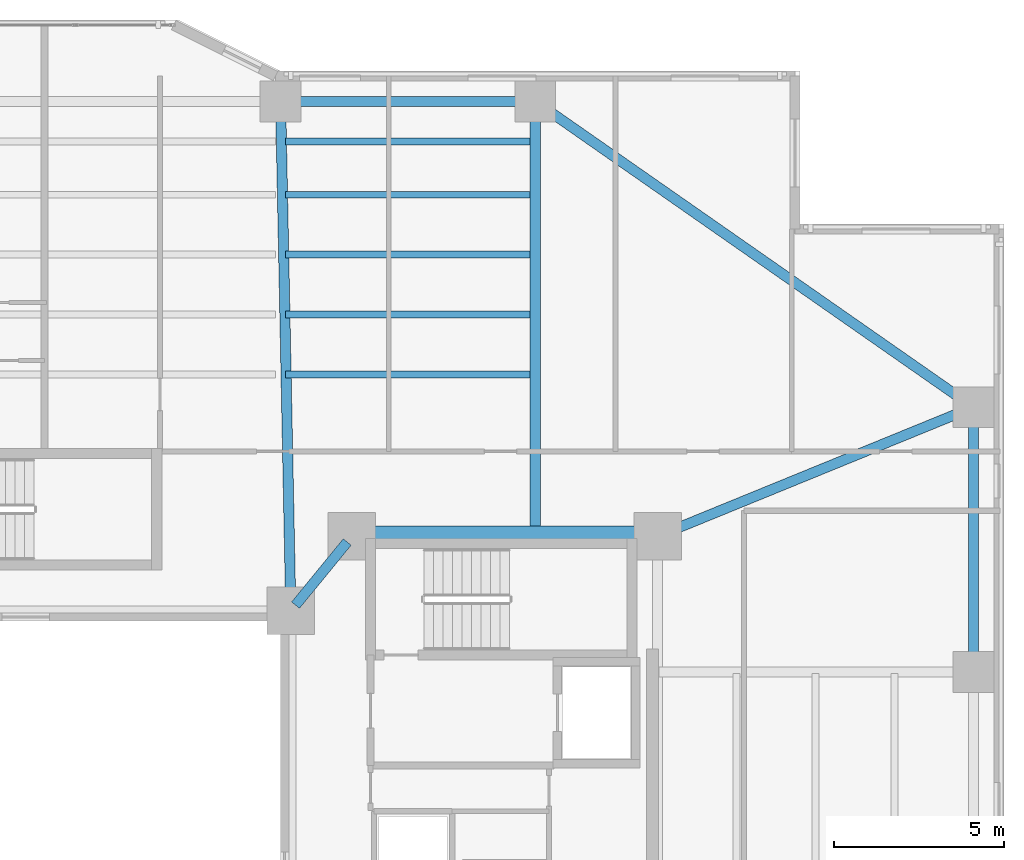
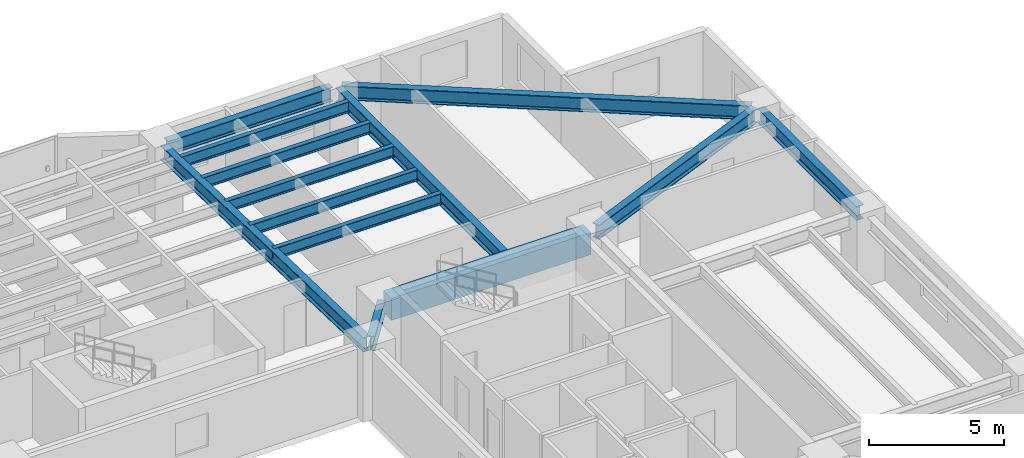
# One storey, part 7 of 21: 13 beams.
"""IFC4 building model written with IfcOpenShell, lengths in metres."""

from ifc_helpers import new_model, si_unit, direction, frame, origin, origin_2d, place, context, subcontext, project, spatial, rectangle, i_section, extrude, material, material_profile, profile_set, type_object, element, save


model = new_model("IFC4")

# Units and contexts
model_context = context("Model", 3, precision=1e-05, world=origin(), true_north=direction((0.0, 1.0)))
body_context = subcontext(model_context, "Body", "Model", "MODEL_VIEW")
ifc_project = project(units=[si_unit("LENGTHUNIT", "METRE"), si_unit("AREAUNIT", "SQUARE_METRE"), si_unit("VOLUMEUNIT", "CUBIC_METRE"), si_unit("PLANEANGLEUNIT", "RADIAN"), si_unit("MASSUNIT", "GRAM", prefix="KILO")], contexts=[model_context])

# Site, building, storey
site_placement = place(None, origin())
site = spatial("IfcSite", under=ifc_project, at=site_placement, CompositionType="ELEMENT")
building_placement = place(site_placement, origin())
building = spatial("IfcBuilding", under=site, at=building_placement, Name="Tarnavaz Court Tower", CompositionType="ELEMENT")
storey_placement = place(building_placement, frame((0.0, 0.0, 37.39990234375)))
storey = spatial("IfcBuildingStorey", under=building, at=storey_placement, Name="L09", CompositionType="ELEMENT", Elevation=37.39990234375)

# Beams
ifc_material_1 = material(Name="Concrete C60/75", Category="concrete")
ifc_material_profile_1 = material_profile(ifc_material_1, rectangle(XDim=0.60009765625, YDim=1.0, at=origin_2d()), Name="RC 600X1000")
ifc_profile_set_1 = profile_set([ifc_material_profile_1], Name="Concrete C60/75")
beam_type_1 = type_object("IfcBeamType", Name="BM-CB1000", PredefinedType="LINTEL", material=ifc_profile_set_1)
beam_1_placement = place(storey_placement, frame((18.3798828125, 10.0, 2.60009765625), z_axis=(-1.0, 0.0, 0.0), x_axis=(0.0, -1.0, 0.0)))
element("IfcBeam", 1, at=beam_1_placement, inside=storey, type_object=beam_type_1, Name="L09 Beam IN-CE-NO-CE-NI", PredefinedType="LINTEL", context=body_context, shape_type="SweptSolid", body=[
    extrude(rectangle(XDim=0.60009765625, YDim=1.0, at=origin_2d()), origin(), (0.0, 0.0, 1.0), 8.559814453125),
])
ifc_material_2 = material(Name="Steel S355", Category="steel")
ifc_material_profile_2 = material_profile(ifc_material_2, i_section(OverallWidth=0.300048828125, OverallDepth=0.64990234375, WebThickness=0.01611328125, FlangeThickness=0.031005859375, FilletRadius=0.027099609375, at=origin_2d()), Name="HEB 650")
ifc_profile_set_2 = profile_set([ifc_material_profile_2], Name="Steel S355")
beam_type_2 = type_object("IfcBeamType", Name="BM-G-HEB650", PredefinedType="USERDEFINED", material=ifc_profile_set_2)
beam_2_placement = place(storey_placement, frame((9.460693359375, 9.82958984375, 2.775146484375), z_axis=(-0.633282058357, -0.773921077735, 0.0), x_axis=(0.773921077735, -0.633282058357, 0.0)))
element("IfcBeam", 2, at=beam_2_placement, inside=storey, type_object=beam_type_2, Name="L09 Beam IN-CE-NI-IW-NE", ObjectType="GIRDER", PredefinedType="USERDEFINED", context=body_context, shape_type="SweptSolid", body=[
    extrude(i_section(OverallWidth=0.300048828125, OverallDepth=0.64990234375, WebThickness=0.01611328125, FlangeThickness=0.031005859375, FilletRadius=0.027099609375, at=origin_2d()), origin(), (0.0, 0.0, 1.0), 2.402587890625),
])
beam_3_placement = place(storey_placement, frame((7.795654296875, 8.02001953125, 2.775146484375), z_axis=(-0.020000023066, 0.999799979535, 0.0), x_axis=(-0.999799979535, -0.020000023066, 0.0)))
element("IfcBeam", 3, at=beam_3_placement, inside=storey, type_object=beam_type_2, Name="L09 Beam RG-03", ObjectType="GIRDER", PredefinedType="USERDEFINED", context=body_context, shape_type="SweptSolid", body=[
    extrude(i_section(OverallWidth=0.300048828125, OverallDepth=0.64990234375, WebThickness=0.01611328125, FlangeThickness=0.031005859375, FilletRadius=0.027099609375, at=origin_2d()), origin(), (0.0, 0.0, 1.0), 14.56298828125),
])
beam_4_placement = place(storey_placement, frame((15.0, 10.0400390625, 2.775146484375), z_axis=(0.0, 1.0, 0.0), x_axis=(-1.0, 0.0, 0.0)))
element("IfcBeam", 4, at=beam_4_placement, inside=storey, type_object=beam_type_2, Name="L09 Beam RG-04", ObjectType="GIRDER", PredefinedType="USERDEFINED", context=body_context, shape_type="SweptSolid", body=[
    extrude(i_section(OverallWidth=0.300048828125, OverallDepth=0.64990234375, WebThickness=0.01611328125, FlangeThickness=0.031005859375, FilletRadius=0.027099609375, at=origin_2d()), origin(), (0.0, 0.0, 1.0), 12.5400390625),
])
beam_5_placement = place(storey_placement, frame((18.8037109375, 10.083251953125, 2.775146484375), z_axis=(0.925704761705, 0.378246869329, 0.0), x_axis=(-0.378246869329, 0.925704761705, 0.0)))
element("IfcBeam", 5, at=beam_5_placement, inside=storey, type_object=beam_type_2, Name="L09 Beam RG-12", ObjectType="GIRDER", PredefinedType="USERDEFINED", context=body_context, shape_type="SweptSolid", body=[
    extrude(i_section(OverallWidth=0.300048828125, OverallDepth=0.64990234375, WebThickness=0.01611328125, FlangeThickness=0.031005859375, FilletRadius=0.027099609375, at=origin_2d()), origin(), (0.0, 0.0, 1.0), 9.606201171875),
])
ifc_material_profile_3 = material_profile(ifc_material_2, i_section(OverallWidth=0.199951171875, OverallDepth=0.5, WebThickness=0.01025390625, FlangeThickness=0.01611328125, FilletRadius=0.02099609375, at=origin_2d()), Name="IPE 500")
ifc_profile_set_3 = profile_set([ifc_material_profile_3], Name="Steel S355")
beam_type_3 = type_object("IfcBeamType", Name="BM-J-IPE500", PredefinedType="JOIST", material=ifc_profile_set_3)
for number, where, z_axis, x_axis, name in (
    (6, (7.64990234375, 14.763916015625, 2.85009765625), (1.0, 0.0, 0.0), (0.0, 1.0, 0.0), "L09 Beam JN1-3"),
    (7, (7.64990234375, 16.528076171875, 2.85009765625), (1.0, 0.0, 0.0), (0.0, 1.0, 0.0), "L09 Beam JN2-3"),
    (8, (7.64990234375, 18.2919921875, 2.85009765625), (1.0, 0.0, 0.0), (0.0, 1.0, 0.0), "L09 Beam JN3-3"),
    (9, (7.64990234375, 20.055908203125, 2.85009765625), (1.0, 0.0, 0.0), (0.0, 1.0, 0.0), "L09 Beam JN4-3"),
    (10, (7.64990234375, 21.6240234375, 2.85009765625), (1.0, 0.0, 0.0), (0.0, 1.0, 0.0), "L09 Beam JN5-3"),
):
    element("IfcBeam", number, at=place(storey_placement, frame(where, z_axis=z_axis, x_axis=x_axis)), inside=storey, type_object=beam_type_3, Name=name, PredefinedType="JOIST", context=body_context, shape_type="SweptSolid", body=[
        extrude(i_section(OverallWidth=0.199951171875, OverallDepth=0.5, WebThickness=0.01025390625, FlangeThickness=0.01611328125, FilletRadius=0.02099609375, at=origin_2d()), origin(), (0.0, 0.0, 1.0), 7.2001953125),
    ])
ifc_material_profile_4 = material_profile(ifc_material_2, i_section(OverallWidth=0.300048828125, OverallDepth=0.639892578125, WebThickness=0.013427734375, FlangeThickness=0.02587890625, FilletRadius=0.027099609375, at=origin_2d()), Name="HEA 650")
ifc_profile_set_4 = profile_set([ifc_material_profile_4], Name="Steel S355")
beam_type_4 = type_object("IfcBeamType", Name="BM-SP-HEA650", PredefinedType="SPANDREL", material=ifc_profile_set_4)
beam_6_placement = place(storey_placement, frame((7.719970703125, 22.800048828125, 2.780029296875), z_axis=(1.0, 0.0, 0.0), x_axis=(0.0, 1.0, 0.0)))
element("IfcBeam", 11, at=beam_6_placement, inside=storey, type_object=beam_type_4, Name="L09 Beam PR-PN-3-PN-4", PredefinedType="SPANDREL", context=body_context, shape_type="SweptSolid", body=[
    extrude(i_section(OverallWidth=0.300048828125, OverallDepth=0.639892578125, WebThickness=0.013427734375, FlangeThickness=0.02587890625, FilletRadius=0.027099609375, at=origin_2d()), origin(), (0.0, 0.0, 1.0), 7.06005859375),
])
beam_7_placement = place(storey_placement, frame((27.89990234375, 6.219970703125, 2.780029296875), z_axis=(0.0, 1.0, 0.0), x_axis=(-1.0, 0.0, 0.0)))
element("IfcBeam", 12, at=beam_7_placement, inside=storey, type_object=beam_type_4, Name="L09 Beam PR-PE-3-PE-4", PredefinedType="SPANDREL", context=body_context, shape_type="SweptSolid", body=[
    extrude(i_section(OverallWidth=0.300048828125, OverallDepth=0.639892578125, WebThickness=0.013427734375, FlangeThickness=0.02587890625, FilletRadius=0.027099609375, at=origin_2d()), origin(), (0.0, 0.0, 1.0), 7.360107421875),
])
beam_8_placement = place(storey_placement, frame((15.180419921875, 22.674072265625, 2.780029296875), z_axis=(0.820123643324, -0.572186341729, 0.0), x_axis=(0.572186341729, 0.820123643324, 0.0)))
element("IfcBeam", 13, at=beam_8_placement, inside=storey, type_object=beam_type_4, Name="L09 Beam PR-PN-4-PE-4", PredefinedType="SPANDREL", context=body_context, shape_type="SweptSolid", body=[
    extrude(i_section(OverallWidth=0.300048828125, OverallDepth=0.639892578125, WebThickness=0.013427734375, FlangeThickness=0.02587890625, FilletRadius=0.027099609375, at=origin_2d()), origin(), (0.0, 0.0, 1.0), 15.289306640625),
])

save(model, "model.ifc")
